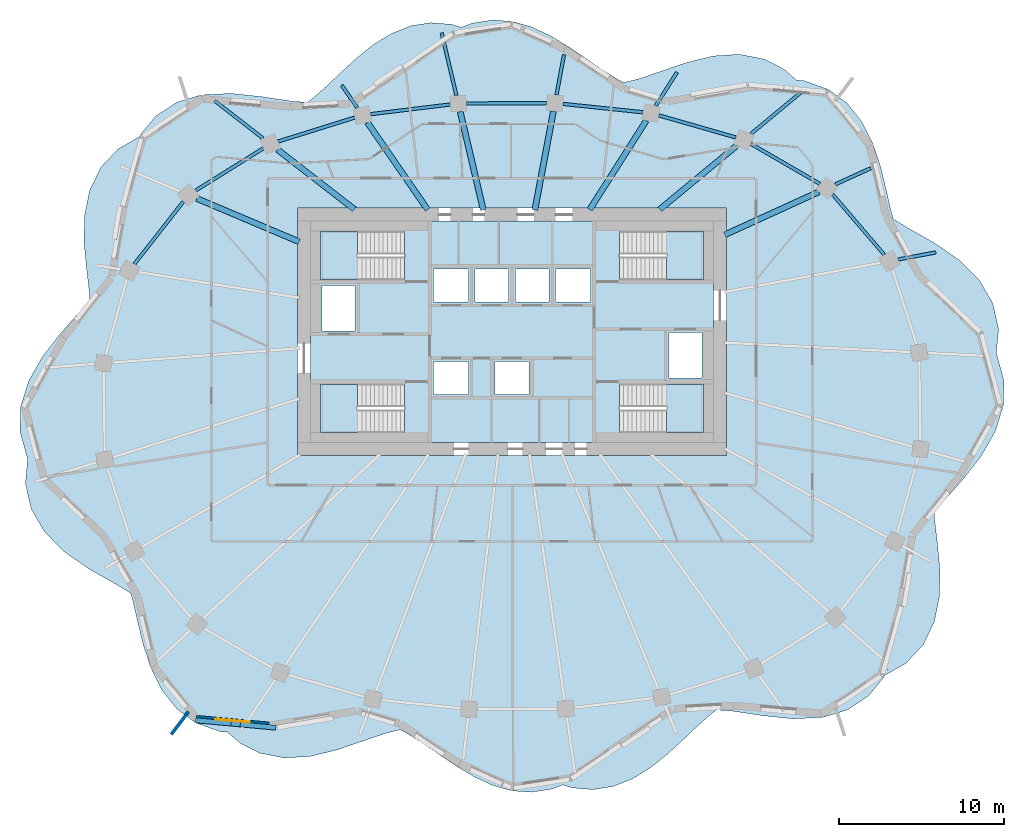
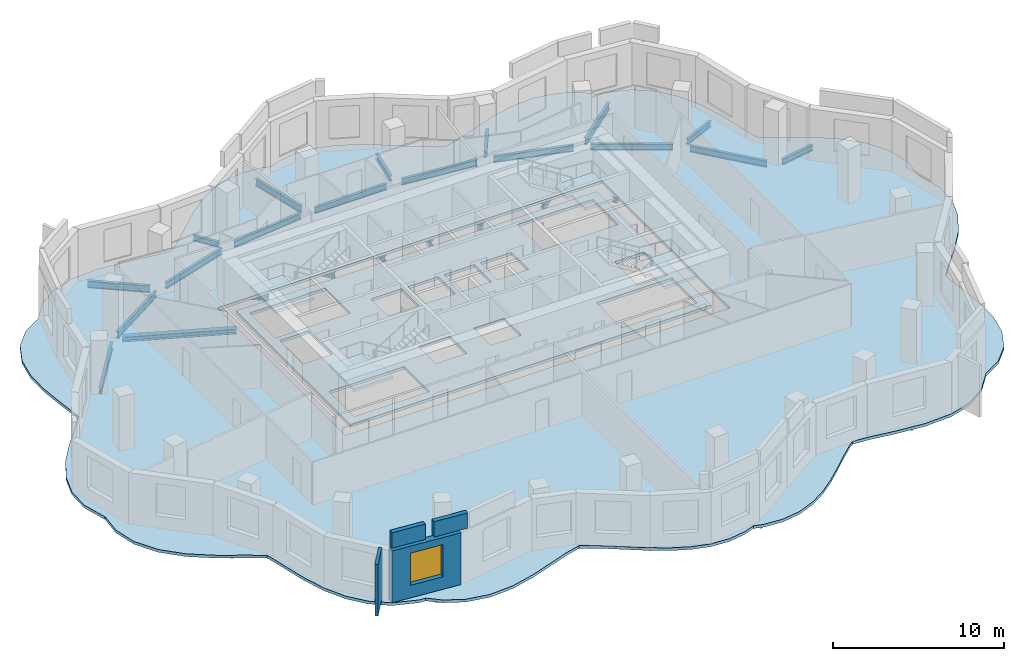
# One storey, part 2 of 9: 25 beams, 6 slabs, 4 walls, 1 window, 1 opening, 4 elements without a shape of their own.
"""IFC4 building model written with IfcOpenShell, lengths in metres."""

import ifcopenshell
import ifcopenshell.guid

model = None  # the IFC model being written
_history = None  # IfcOwnerHistory: only IFC2X3 demands one
_inside = {}  # id of a spatial element -> (the spatial element, [elements in it])
_under = {}  # id of a project, library or spatial element -> (it, [spatial elements below it])
_declared = {}  # id of a project -> (the project, [libraries it declares])
_typed = {}  # id of a type object -> (the type object, [elements of that type])
_made_of = {}  # id of a material, layer set ... -> (it, [elements and type objects made of it])


def new_model(schema):
    """Start an empty IFC model of exactly this schema.

    Asked for "IFC4X3", IfcOpenShell would pick the latest addendum, in which some entities
    have other attributes; the version numbers below select the first issue.
    IFC2X3 requires an IfcOwnerHistory on every rooted entity: one is made here for all.
    """
    global model, _history
    if schema == "IFC4X3":
        model = ifcopenshell.file(schema_version=(4, 3, 0, 0))
    else:
        model = ifcopenshell.file(schema=schema)
    _inside.clear()
    _under.clear()
    _declared.clear()
    _typed.clear()
    _made_of.clear()
    _history = None
    if model.schema == "IFC2X3":
        org = make("IfcOrganization", Name="unknown")
        user = make(
            "IfcPersonAndOrganization",
            ThePerson=make("IfcPerson", FamilyName="unknown"),
            TheOrganization=org,
        )
        app = make(
            "IfcApplication",
            ApplicationDeveloper=org,
            Version="unknown",
            ApplicationFullName="unknown",
            ApplicationIdentifier="unknown",
        )
        _history = make(
            "IfcOwnerHistory",
            OwningUser=user,
            OwningApplication=app,
            ChangeAction="ADDED",
            CreationDate=0,
        )
    return model


def make(cls, **values):
    """One entity of the class cls with the attributes given. An attribute that is None is left unset."""
    return model.create_entity(
        cls, **{name: value for name, value in values.items() if value is not None}
    )


def rooted(cls, **values):
    """An entity with a GlobalId (a new one), such as an element, a storey or a relation."""
    return make(cls, GlobalId=ifcopenshell.guid.new(), OwnerHistory=_history, **values)


def si_unit(unit_type, name, prefix=None):
    """IfcSIUnit, for example si_unit("LENGTHUNIT", "METRE", prefix="MILLI")."""
    return make("IfcSIUnit", UnitType=unit_type, Prefix=prefix, Name=name)


def assignment(units):
    """IfcUnitAssignment: the units of a project."""
    return None if units is None else make("IfcUnitAssignment", Units=units)


def point(xyz):
    """IfcCartesianPoint."""
    return None if xyz is None else make("IfcCartesianPoint", Coordinates=xyz)


def direction(xyz):
    """IfcDirection."""
    return None if xyz is None else make("IfcDirection", DirectionRatios=xyz)


def frame(location, z_axis=None, x_axis=None):
    """IfcAxis2Placement3D, a coordinate frame: its origin and axes. An axis left out is left unset."""
    return make(
        "IfcAxis2Placement3D",
        Location=point(location),
        Axis=direction(z_axis),
        RefDirection=direction(x_axis),
    )


def frame_2d(location, x_axis=None):
    """IfcAxis2Placement2D, a coordinate frame in the plane: its origin and x axis."""
    return make(
        "IfcAxis2Placement2D", Location=point(location), RefDirection=direction(x_axis)
    )


def origin():
    """The frame at (0, 0, 0) with its axes left unset."""
    return frame((0.0, 0.0, 0.0))


def origin_2d():
    """The frame at (0, 0) in the plane with its x axis left unset."""
    return frame_2d((0.0, 0.0))


def place(relative_to, where):
    """IfcLocalPlacement: puts the frame where relative to a parent placement (None: the world)."""
    return make(
        "IfcLocalPlacement", PlacementRelTo=relative_to, RelativePlacement=where
    )


def context(
    kind, dimensions, precision=None, world=None, true_north=None, identifier=None
):
    """IfcGeometricRepresentationContext, for example the 3D "Model" context."""
    return make(
        "IfcGeometricRepresentationContext",
        ContextIdentifier=identifier,
        ContextType=kind,
        CoordinateSpaceDimension=dimensions,
        Precision=precision,
        WorldCoordinateSystem=world,
        TrueNorth=true_north,
    )


def subcontext(parent, identifier, kind, view, scale=None):
    """IfcGeometricRepresentationSubContext, for example "Body" below "Model"."""
    return make(
        "IfcGeometricRepresentationSubContext",
        ContextIdentifier=identifier,
        ContextType=kind,
        ParentContext=parent,
        TargetScale=scale,
        TargetView=view,
    )


def project(units=None, contexts=None):
    """IfcProject with its units and contexts."""
    return rooted(
        "IfcProject",
        Name="project",
        RepresentationContexts=contexts,
        UnitsInContext=assignment(units),
    )


def spatial(cls, under=None, at=None, **own):
    """A site, building, storey or space (cls), placed at a placement, below another one or the project."""
    s = rooted(cls, ObjectPlacement=at, **own)
    if under is not None:
        _under.setdefault(under.id(), (under, []))[1].append(s)
    return s


def polyline(points):
    """IfcPolyline through the points."""
    return make("IfcPolyline", Points=[point(p) for p in points])


def profile(cls, at=None, kind="AREA", **sizes):
    """A parametric profile (cls). Its sizes go by their IFC names, for example OverallWidth=200.0."""
    return make(cls, ProfileType=kind, Position=at, **sizes)


def rectangle(**sizes):
    """IfcRectangleProfileDef."""
    return profile("IfcRectangleProfileDef", **sizes)


def i_section(**sizes):
    """IfcIShapeProfileDef."""
    return profile("IfcIShapeProfileDef", **sizes)


def outline(outer, holes=None, kind="AREA"):
    """IfcArbitraryClosedProfileDef: a profile drawn as a closed curve; with holes, ...WithVoids."""
    if holes is None:
        return make("IfcArbitraryClosedProfileDef", ProfileType=kind, OuterCurve=outer)
    return make(
        "IfcArbitraryProfileDefWithVoids",
        ProfileType=kind,
        OuterCurve=outer,
        InnerCurves=holes,
    )


def extrude(swept, where, along, depth):
    """IfcExtrudedAreaSolid: the profile swept, set in the frame where, extruded along a direction by depth."""
    return make(
        "IfcExtrudedAreaSolid",
        SweptArea=swept,
        Position=where,
        ExtrudedDirection=direction(along),
        Depth=depth,
    )


def shape(context_of_items, identifier, shape_type, items):
    """IfcShapeRepresentation: the items that make up one representation, for example the "Body"."""
    return make(
        "IfcShapeRepresentation",
        ContextOfItems=context_of_items,
        RepresentationIdentifier=identifier,
        RepresentationType=shape_type,
        Items=items,
    )


def material(Name=None, Category=None):
    """IfcMaterial."""
    return make("IfcMaterial", Name=Name, Category=Category)


def layer(
    of_material, thickness, ventilated=None, Name=None, Category=None, Priority=None
):
    """IfcMaterialLayer: one layer of a wall or slab, of a material (None: an air gap)."""
    return make(
        "IfcMaterialLayer",
        Material=of_material,
        LayerThickness=thickness,
        IsVentilated=ventilated,
        Name=Name,
        Category=Category,
        Priority=Priority,
    )


def layer_set(layers, Name=None):
    """IfcMaterialLayerSet."""
    return make("IfcMaterialLayerSet", MaterialLayers=layers, LayerSetName=Name)


def material_profile(
    of_material, cross_section, Name=None, Category=None, Priority=None
):
    """IfcMaterialProfile: a cross section and its material."""
    return make(
        "IfcMaterialProfile",
        Name=Name,
        Material=of_material,
        Profile=cross_section,
        Priority=Priority,
        Category=Category,
    )


def profile_set(profiles, Name=None, composite=None):
    """IfcMaterialProfileSet."""
    return make(
        "IfcMaterialProfileSet",
        Name=Name,
        MaterialProfiles=profiles,
        CompositeProfile=composite,
    )


def made_of(thing, what):
    """Note that an element or type object is made of a material, layer set ...; save() writes the relation."""
    if what is not None:
        _made_of.setdefault(what.id(), (what, []))[1].append(thing)
    return thing


def type_object(cls, material=None, **own):
    """A type object (cls), such as IfcWallType, which elements share."""
    return made_of(rooted(cls, **own), material)


def element(
    cls,
    number,
    at=None,
    inside=None,
    cuts=None,
    type_object=None,
    material=None,
    context=None,
    identifier="Body",
    shape_type=None,
    held_by="IfcProductDefinitionShape",
    body=None,
    shapes=None,
    **own,
):
    """One element of the class cls, such as IfcWall. Its Tag is "e" and its number.

    at: its placement. inside: the storey or other place that contains it. cuts: it is an
    opening in that element (IfcRelVoidsElement). A single representation is given by context,
    identifier, shape_type and body (its items); several are given by shapes. held_by: the class
    of the entity that holds the representations. save() writes the other relations.
    """
    e = rooted(cls, Tag="e%d" % number, ObjectPlacement=at, **own)
    if body is not None:
        shapes = [shape(context, identifier, shape_type, body)]
    if shapes is not None:
        e.Representation = make(held_by, Representations=shapes)
    if inside is not None:
        _inside.setdefault(inside.id(), (inside, []))[1].append(e)
    if cuts is not None:
        rooted(
            "IfcRelVoidsElement", RelatingBuildingElement=cuts, RelatedOpeningElement=e
        )
    if type_object is not None:
        _typed.setdefault(type_object.id(), (type_object, []))[1].append(e)
    return made_of(e, material)


def fill(opening, filler):
    """IfcRelFillsElement: the door or window that sits in an opening."""
    return rooted(
        "IfcRelFillsElement",
        RelatingOpeningElement=opening,
        RelatedBuildingElement=filler,
    )


def aggregate(whole, parts):
    """IfcRelAggregates: a whole, such as a stair, and the parts it consists of."""
    return rooted("IfcRelAggregates", RelatingObject=whole, RelatedObjects=parts)


def save(model, path):
    """Write the relations noted so far, then the file.

    IfcRelAggregates (storeys below a building ...), IfcRelContainedInSpatialStructure (elements
    in a storey), IfcRelDefinesByType, IfcRelAssociatesMaterial and IfcRelDeclares: one each for
    every whole, place, type object, material and project.
    """
    for whole, parts in _under.values():
        aggregate(whole, parts)
    for where, things in _inside.values():
        rooted(
            "IfcRelContainedInSpatialStructure",
            RelatedElements=things,
            RelatingStructure=where,
        )
    for kind, things in _typed.values():
        rooted("IfcRelDefinesByType", RelatedObjects=things, RelatingType=kind)
    for what, things in _made_of.values():
        rooted("IfcRelAssociatesMaterial", RelatedObjects=things, RelatingMaterial=what)
    for by, libraries in _declared.values():
        rooted("IfcRelDeclares", RelatingContext=by, RelatedDefinitions=libraries)
    model.write(path)


model = new_model("IFC4")

# Units and contexts
model_context = context("Model", 3, precision=1e-05, world=origin(), true_north=direction((0.0, 1.0)))
body_context = subcontext(model_context, "Body", "Model", "MODEL_VIEW")
ifc_project = project(units=[si_unit("LENGTHUNIT", "METRE"), si_unit("AREAUNIT", "SQUARE_METRE"), si_unit("VOLUMEUNIT", "CUBIC_METRE"), si_unit("PLANEANGLEUNIT", "RADIAN"), si_unit("MASSUNIT", "GRAM", prefix="KILO")], contexts=[model_context])

# Site, building, storey
site_placement = place(None, origin())
site = spatial("IfcSite", under=ifc_project, at=site_placement, CompositionType="ELEMENT")
building_placement = place(site_placement, origin())
building = spatial("IfcBuilding", under=site, at=building_placement, Name="Rubra Terraces Tower", CompositionType="ELEMENT")
storey_placement = place(building_placement, frame((0.0, 0.0, 229.199951171875)))
storey = spatial("IfcBuildingStorey", under=building, at=storey_placement, Name="L56", CompositionType="ELEMENT", Elevation=229.199951171875)

# Beams
ifc_material_1 = material(Name="Steel Q355B", Category="steel")
ifc_material_profile_1 = material_profile(ifc_material_1, i_section(OverallWidth=0.199951171875, OverallDepth=0.39990234375, WebThickness=0.008056640625, FlangeThickness=0.012939453125, at=origin_2d()), Name="HN 400x200x8x13")
ifc_profile_set_1 = profile_set([ifc_material_profile_1], Name="Steel Q355B")
beam_type_1 = type_object("IfcBeamType", Name="CANTILEVER BEAM HN 400x200x8x13", PredefinedType="BEAM", material=ifc_profile_set_1)
beam_1_placement = place(storey_placement, frame((23.39794921875, 8.884033203125, -0.39990234375), z_axis=(0.982868607844, 0.184307622507, 0.0), x_axis=(-0.184307622507, 0.982868607844, 0.0)))
element("IfcBeam", 1, at=beam_1_placement, inside=storey, type_object=beam_type_1, Name="beam-L56-cant-02", PredefinedType="BEAM", context=body_context, shape_type="SweptSolid", body=[
    extrude(i_section(OverallWidth=0.199951171875, OverallDepth=0.39990234375, WebThickness=0.008056640625, FlangeThickness=0.012939453125, at=origin_2d()), origin(), (0.0, 0.0, 1.0), 2.31689453125),
])
beam_2_placement = place(storey_placement, frame((19.596923828125, 13.43896484375, -0.39990234375), z_axis=(0.909791454917, 0.415065667769, 0.0), x_axis=(-0.415065667769, 0.909791454917, 0.0)))
element("IfcBeam", 2, at=beam_2_placement, inside=storey, type_object=beam_type_1, Name="beam-L56-cant-03", PredefinedType="BEAM", context=body_context, shape_type="SweptSolid", body=[
    extrude(i_section(OverallWidth=0.199951171875, OverallDepth=0.39990234375, WebThickness=0.008056640625, FlangeThickness=0.012939453125, at=origin_2d()), origin(), (0.0, 0.0, 1.0), 2.344482421875),
])
beam_3_placement = place(storey_placement, frame((8.7099609375, 18.201904296875, -0.39990234375), z_axis=(0.536577917642, 0.84385077964, 0.0), x_axis=(-0.84385077964, 0.536577917642, 0.0)))
element("IfcBeam", 3, at=beam_3_placement, inside=storey, type_object=beam_type_1, Name="beam-L56-cant-05", PredefinedType="BEAM", context=body_context, shape_type="SweptSolid", body=[
    extrude(i_section(OverallWidth=0.199951171875, OverallDepth=0.39990234375, WebThickness=0.008056640625, FlangeThickness=0.012939453125, at=origin_2d()), origin(), (0.0, 0.0, 1.0), 2.38916015625),
])
beam_4_placement = place(storey_placement, frame((2.695068359375, 18.85400390625, -0.39990234375), z_axis=(0.18429449499, 0.982871069427, 0.0), x_axis=(-0.982871069427, 0.18429449499, 0.0)))
element("IfcBeam", 4, at=beam_4_placement, inside=storey, type_object=beam_type_1, Name="beam-L56-cant-06", PredefinedType="BEAM", context=body_context, shape_type="SweptSolid", body=[
    extrude(i_section(OverallWidth=0.199951171875, OverallDepth=0.39990234375, WebThickness=0.008056640625, FlangeThickness=0.012939453125, at=origin_2d()), origin(), (0.0, 0.0, 1.0), 2.473388671875),
])
beam_5_placement = place(storey_placement, frame((-9.3701171875, 18.070068359375, -0.39990234375), z_axis=(-0.568287582361, 0.822830009014, 0.0), x_axis=(-0.822830009014, -0.568287582361, 0.0)))
element("IfcBeam", 5, at=beam_5_placement, inside=storey, type_object=beam_type_1, Name="beam-L56-cant-08", PredefinedType="BEAM", context=body_context, shape_type="SweptSolid", body=[
    extrude(i_section(OverallWidth=0.199951171875, OverallDepth=0.39990234375, WebThickness=0.008056640625, FlangeThickness=0.012939453125, at=origin_2d()), origin(), (0.0, 0.0, 1.0), 1.666015625),
])
ifc_material_profile_2 = material_profile(ifc_material_1, i_section(OverallWidth=0.198974609375, OverallDepth=0.49609375, WebThickness=0.009033203125, FlangeThickness=0.013916015625, at=origin_2d()), Name="HN 496x199x9x14")
ifc_profile_set_2 = profile_set([ifc_material_profile_2], Name="Steel Q355B")
beam_type_2 = type_object("IfcBeamType", Name="CANTILEVER BEAM HN 496x199x9x14", PredefinedType="BEAM", material=ifc_profile_set_2)
beam_6_placement = place(storey_placement, frame((14.47509765625, 16.4951171875, -0.447998046875), z_axis=(0.770112647774, 0.637907916347, 0.0), x_axis=(-0.637907916347, 0.770112647774, 0.0)))
element("IfcBeam", 6, at=beam_6_placement, inside=storey, type_object=beam_type_2, Name="beam-L56-cant-04", PredefinedType="BEAM", context=body_context, shape_type="SweptSolid", body=[
    extrude(i_section(OverallWidth=0.198974609375, OverallDepth=0.49609375, WebThickness=0.009033203125, FlangeThickness=0.013916015625, at=origin_2d()), origin(), (0.0, 0.0, 1.0), 3.949951171875),
])
beam_7_placement = place(storey_placement, frame((-3.3701171875, 18.823974609375, -0.447998046875), z_axis=(-0.228972734486, 0.973432836338, 0.0), x_axis=(-0.973432836338, -0.228972734486, 0.0)))
element("IfcBeam", 7, at=beam_7_placement, inside=storey, type_object=beam_type_2, Name="beam-L56-cant-07", PredefinedType="BEAM", context=body_context, shape_type="SweptSolid", body=[
    extrude(i_section(OverallWidth=0.198974609375, OverallDepth=0.49609375, WebThickness=0.009033203125, FlangeThickness=0.013916015625, at=origin_2d()), origin(), (0.0, 0.0, 1.0), 3.882080078125),
])
beam_8_placement = place(storey_placement, frame((-15.087890625, 16.22705078125, -0.447998046875), z_axis=(-0.789596931968, 0.613625851009, 0.0), x_axis=(-0.613625851009, -0.789596931968, 0.0)))
element("IfcBeam", 8, at=beam_8_placement, inside=storey, type_object=beam_type_2, Name="beam-L56-cant-09", PredefinedType="BEAM", context=body_context, shape_type="SweptSolid", body=[
    extrude(i_section(OverallWidth=0.198974609375, OverallDepth=0.49609375, WebThickness=0.009033203125, FlangeThickness=0.013916015625, at=origin_2d()), origin(), (0.0, 0.0, 1.0), 3.705810546875),
])
ifc_material_profile_3 = material_profile(ifc_material_1, i_section(OverallWidth=0.35009765625, OverallDepth=0.35009765625, WebThickness=0.011962890625, FlangeThickness=0.01904296875, at=origin_2d()), Name="HW 350x350x12x19")
ifc_profile_set_3 = profile_set([ifc_material_profile_3], Name="Steel Q355B")
beam_type_3 = type_object("IfcBeamType", Name="FLOOR BEAM HW 350x350x12x19", PredefinedType="BEAM", material=ifc_profile_set_3)
beam_9_placement = place(storey_placement, frame((18.5869140625, 12.97900390625, -0.375), z_axis=(-0.909756526533, -0.415142219523, 0.0), x_axis=(0.415142219523, -0.909756526533, 0.0)))
element("IfcBeam", 9, at=beam_9_placement, inside=storey, type_object=beam_type_3, Name="beam-L56-floor-03", PredefinedType="BEAM", context=body_context, shape_type="SweptSolid", body=[
    extrude(i_section(OverallWidth=0.35009765625, OverallDepth=0.35009765625, WebThickness=0.011962890625, FlangeThickness=0.01904296875, at=origin_2d()), origin(), (0.0, 0.0, 1.0), 6.2607421875),
])
beam_10_placement = place(storey_placement, frame((13.60888671875, 15.777099609375, -0.375), z_axis=(-0.769987518392, -0.638058948312, 0.0), x_axis=(0.638058948312, -0.769987518392, 0.0)))
element("IfcBeam", 10, at=beam_10_placement, inside=storey, type_object=beam_type_3, Name="beam-L56-floor-04", PredefinedType="BEAM", context=body_context, shape_type="SweptSolid", body=[
    extrude(i_section(OverallWidth=0.35009765625, OverallDepth=0.35009765625, WebThickness=0.011962890625, FlangeThickness=0.01904296875, at=origin_2d()), origin(), (0.0, 0.0, 1.0), 6.040283203125),
])
beam_11_placement = place(storey_placement, frame((8.134033203125, 17.2958984375, -0.375), z_axis=(-0.536509861106, -0.843894050776, 0.0), x_axis=(0.843894050776, -0.536509861106, 0.0)))
element("IfcBeam", 11, at=beam_11_placement, inside=storey, type_object=beam_type_3, Name="beam-L56-floor-05", PredefinedType="BEAM", context=body_context, shape_type="SweptSolid", body=[
    extrude(i_section(OverallWidth=0.35009765625, OverallDepth=0.35009765625, WebThickness=0.011962890625, FlangeThickness=0.01904296875, at=origin_2d()), origin(), (0.0, 0.0, 1.0), 6.395263671875),
])
beam_12_placement = place(storey_placement, frame((2.509033203125, 17.862060546875, -0.375), z_axis=(-0.184574398021, -0.982818544593, 0.0), x_axis=(0.982818544593, -0.184574398021, 0.0)))
element("IfcBeam", 12, at=beam_12_placement, inside=storey, type_object=beam_type_3, Name="beam-L56-floor-06", PredefinedType="BEAM", context=body_context, shape_type="SweptSolid", body=[
    extrude(i_section(OverallWidth=0.35009765625, OverallDepth=0.35009765625, WebThickness=0.011962890625, FlangeThickness=0.01904296875, at=origin_2d()), origin(), (0.0, 0.0, 1.0), 6.08447265625),
])
beam_13_placement = place(storey_placement, frame((-3.137939453125, 17.8359375, -0.375), z_axis=(0.229070485592, -0.973409837957, 0.0), x_axis=(0.973409837957, 0.229070485592, 0.0)))
element("IfcBeam", 13, at=beam_13_placement, inside=storey, type_object=beam_type_3, Name="beam-L56-floor-07", PredefinedType="BEAM", context=body_context, shape_type="SweptSolid", body=[
    extrude(i_section(OverallWidth=0.35009765625, OverallDepth=0.35009765625, WebThickness=0.011962890625, FlangeThickness=0.01904296875, at=origin_2d()), origin(), (0.0, 0.0, 1.0), 6.115478515625),
])
beam_14_placement = place(storey_placement, frame((-8.756103515625, 17.179931640625, -0.375), z_axis=(0.568186422001, -0.822899866238, 0.0), x_axis=(0.822899866238, 0.568186422001, 0.0)))
element("IfcBeam", 14, at=beam_14_placement, inside=storey, type_object=beam_type_3, Name="beam-L56-floor-08", PredefinedType="BEAM", context=body_context, shape_type="SweptSolid", body=[
    extrude(i_section(OverallWidth=0.35009765625, OverallDepth=0.35009765625, WebThickness=0.011962890625, FlangeThickness=0.01904296875, at=origin_2d()), origin(), (0.0, 0.0, 1.0), 6.415283203125),
])
beam_15_placement = place(storey_placement, frame((-14.197998046875, 15.534912109375, -0.375), z_axis=(0.789548898228, -0.613687654517, 0.0), x_axis=(0.613687654517, 0.789548898228, 0.0)))
element("IfcBeam", 15, at=beam_15_placement, inside=storey, type_object=beam_type_3, Name="beam-L56-floor-09", PredefinedType="BEAM", context=body_context, shape_type="SweptSolid", body=[
    extrude(i_section(OverallWidth=0.35009765625, OverallDepth=0.35009765625, WebThickness=0.011962890625, FlangeThickness=0.01904296875, at=origin_2d()), origin(), (0.0, 0.0, 1.0), 5.880615234375),
])
beam_16_placement = place(storey_placement, frame((-19.083984375, 12.574951171875, -0.375), z_axis=(0.92097476483, -0.38962223056, 0.0), x_axis=(0.38962223056, 0.92097476483, 0.0)))
element("IfcBeam", 16, at=beam_16_placement, inside=storey, type_object=beam_type_3, Name="beam-L56-floor-10", PredefinedType="BEAM", context=body_context, shape_type="SweptSolid", body=[
    extrude(i_section(OverallWidth=0.35009765625, OverallDepth=0.35009765625, WebThickness=0.011962890625, FlangeThickness=0.01904296875, at=origin_2d()), origin(), (0.0, 0.0, 1.0), 6.7265625),
])
ifc_material_profile_4 = material_profile(ifc_material_1, i_section(OverallWidth=0.198974609375, OverallDepth=0.446044921875, WebThickness=0.008056640625, FlangeThickness=0.011962890625, at=origin_2d()), Name="HN 446x199x8x12")
ifc_profile_set_4 = profile_set([ifc_material_profile_4], Name="Steel Q355B")
beam_type_4 = type_object("IfcBeamType", Name="SPANDREL BEAM HN 446x199x8x12", PredefinedType="SPANDREL", material=ifc_profile_set_4)
beam_17_placement = place(storey_placement, frame((22.547119140625, 9.174072265625, -0.4228515625), z_axis=(-0.650372836218, 0.759615148552, 0.0), x_axis=(-0.759615148552, -0.650372836218, 0.0)))
element("IfcBeam", 17, at=beam_17_placement, inside=storey, type_object=beam_type_4, Name="beam-L56-spandrel-02", PredefinedType="SPANDREL", context=body_context, shape_type="SweptSolid", body=[
    extrude(i_section(OverallWidth=0.198974609375, OverallDepth=0.446044921875, WebThickness=0.008056640625, FlangeThickness=0.011962890625, at=origin_2d()), origin(), (0.0, 0.0, 1.0), 4.804931640625),
])
beam_18_placement = place(storey_placement, frame((18.653076171875, 13.462890625, -0.4228515625), z_axis=(-0.865153680787, 0.501506838059, 0.0), x_axis=(-0.501506838059, -0.865153680787, 0.0)))
element("IfcBeam", 18, at=beam_18_placement, inside=storey, type_object=beam_type_4, Name="beam-L56-spandrel-03", PredefinedType="SPANDREL", context=body_context, shape_type="SweptSolid", body=[
    extrude(i_section(OverallWidth=0.198974609375, OverallDepth=0.446044921875, WebThickness=0.008056640625, FlangeThickness=0.011962890625, at=origin_2d()), origin(), (0.0, 0.0, 1.0), 4.82568359375),
])
beam_19_placement = place(storey_placement, frame((13.55810546875, 16.27490234375, -0.4228515625), z_axis=(-0.961171164323, 0.275952881621, 0.0), x_axis=(-0.275952881621, -0.961171164323, 0.0)))
element("IfcBeam", 19, at=beam_19_placement, inside=storey, type_object=beam_type_4, Name="beam-L56-spandrel-04", PredefinedType="SPANDREL", context=body_context, shape_type="SweptSolid", body=[
    extrude(i_section(OverallWidth=0.198974609375, OverallDepth=0.446044921875, WebThickness=0.008056640625, FlangeThickness=0.011962890625, at=origin_2d()), origin(), (0.0, 0.0, 1.0), 4.842041015625),
])
beam_20_placement = place(storey_placement, frame((7.923095703125, 17.801025390625, -0.4228515625), z_axis=(-0.994565426955, 0.104113454971, 0.0), x_axis=(-0.104113454971, -0.994565426955, 0.0)))
element("IfcBeam", 20, at=beam_20_placement, inside=storey, type_object=beam_type_4, Name="beam-L56-spandrel-05", PredefinedType="SPANDREL", context=body_context, shape_type="SweptSolid", body=[
    extrude(i_section(OverallWidth=0.198974609375, OverallDepth=0.446044921875, WebThickness=0.008056640625, FlangeThickness=0.011962890625, at=origin_2d()), origin(), (0.0, 0.0, 1.0), 4.849365234375),
])
beam_21_placement = place(storey_placement, frame((2.10107421875, 18.35595703125, -0.4228515625), z_axis=(-0.999987852299, -0.004929021704, 0.0), x_axis=(0.004929021704, -0.999987852299, 0.0)))
element("IfcBeam", 21, at=beam_21_placement, inside=storey, type_object=beam_type_4, Name="beam-L56-spandrel-06", PredefinedType="SPANDREL", context=body_context, shape_type="SweptSolid", body=[
    extrude(i_section(OverallWidth=0.198974609375, OverallDepth=0.446044921875, WebThickness=0.008056640625, FlangeThickness=0.011962890625, at=origin_2d()), origin(), (0.0, 0.0, 1.0), 4.85400390625),
])
beam_22_placement = place(storey_placement, frame((-3.7509765625, 18.27001953125, -0.4228515625), z_axis=(-0.992698018573, -0.120626049929, 0.0), x_axis=(0.120626049929, -0.992698018573, 0.0)))
element("IfcBeam", 22, at=beam_22_placement, inside=storey, type_object=beam_type_4, Name="beam-L56-spandrel-07", PredefinedType="SPANDREL", context=body_context, shape_type="SweptSolid", body=[
    extrude(i_section(OverallWidth=0.198974609375, OverallDepth=0.446044921875, WebThickness=0.008056640625, FlangeThickness=0.011962890625, at=origin_2d()), origin(), (0.0, 0.0, 1.0), 4.849365234375),
])
beam_23_placement = place(storey_placement, frame((-9.5419921875, 17.47509765625, -0.4228515625), z_axis=(-0.954462027342, -0.298332429282, 0.0), x_axis=(0.298332429282, -0.954462027342, 0.0)))
element("IfcBeam", 23, at=beam_23_placement, inside=storey, type_object=beam_type_4, Name="beam-L56-spandrel-08", PredefinedType="SPANDREL", context=body_context, shape_type="SweptSolid", body=[
    extrude(i_section(OverallWidth=0.198974609375, OverallDepth=0.446044921875, WebThickness=0.008056640625, FlangeThickness=0.011962890625, at=origin_2d()), origin(), (0.0, 0.0, 1.0), 4.840576171875),
])
beam_24_placement = place(storey_placement, frame((-15.071044921875, 15.614013671875, -0.4228515625), z_axis=(-0.848183088492, -0.529703170083, 0.0), x_axis=(0.529703170083, -0.848183088492, 0.0)))
element("IfcBeam", 24, at=beam_24_placement, inside=storey, type_object=beam_type_4, Name="beam-L56-spandrel-09", PredefinedType="SPANDREL", context=body_context, shape_type="SweptSolid", body=[
    extrude(i_section(OverallWidth=0.198974609375, OverallDepth=0.446044921875, WebThickness=0.008056640625, FlangeThickness=0.011962890625, at=origin_2d()), origin(), (0.0, 0.0, 1.0), 4.8232421875),
])
beam_25_placement = place(storey_placement, frame((-19.906005859375, 12.39111328125, -0.4228515625), z_axis=(-0.617060338015, -0.786915840004, 0.0), x_axis=(0.786915840004, -0.617060338015, 0.0)))
element("IfcBeam", 25, at=beam_25_placement, inside=storey, type_object=beam_type_4, Name="beam-L56-spandrel-10", PredefinedType="SPANDREL", context=body_context, shape_type="SweptSolid", body=[
    extrude(i_section(OverallWidth=0.198974609375, OverallDepth=0.446044921875, WebThickness=0.008056640625, FlangeThickness=0.011962890625, at=origin_2d()), origin(), (0.0, 0.0, 1.0), 4.8037109375),
])

# Slab
ifc_material_2 = material(Name="Concrete C40", Category="concrete")
ifc_layer_1 = layer(ifc_material_2, 0.199951171875)
ifc_layer_set_1 = layer_set([ifc_layer_1], Name="Concrete C40")
slab_type_1 = type_object("IfcSlabType", Name="Core floor slab 200 concrete", PredefinedType="FLOOR", material=ifc_layer_set_1)
slab_1_placement = place(storey_placement, frame((0.0, 0.0, -0.199951171875)))
element("IfcSlab", 26, at=slab_1_placement, inside=storey, type_object=slab_type_1, Name="CORE FLOOR SLAB L56", PredefinedType="FLOOR", context=body_context, shape_type="SweptSolid", body=[
    extrude(outline(polyline([(-12.199951171875, -2.199951171875), (-12.199951171875, 11.199951171875), (12.199951171875, 11.199951171875), (12.199951171875, -2.199951171875), (-12.199951171875, -2.199951171875)]), holes=[polyline([(11.597900390625, 1.347900390625), (6.501953125, 1.347900390625), (6.501953125, -1.597900390625), (11.597900390625, -1.597900390625), (11.597900390625, 1.347900390625)]), polyline([(11.597900390625, 7.652099609375), (11.597900390625, 10.597900390625), (6.501953125, 10.597900390625), (6.501953125, 7.652099609375), (11.597900390625, 7.652099609375)]), polyline([(9.5, 1.699951171875), (11.5, 1.699951171875), (11.5, 4.449951171875), (9.5, 4.449951171875), (9.5, 1.699951171875)]), polyline([(4.75, 6.300048828125), (4.75, 8.300048828125), (2.64990234375, 8.300048828125), (2.64990234375, 6.300048828125), (4.75, 6.300048828125)]), polyline([(2.25, 8.300048828125), (0.199951171875, 8.300048828125), (0.199951171875, 6.300048828125), (2.25, 6.300048828125), (2.25, 8.300048828125)]), polyline([(1.02490234375, 0.699951171875), (1.02490234375, 2.699951171875), (-1.02490234375, 2.699951171875), (-1.02490234375, 0.699951171875), (1.02490234375, 0.699951171875)]), polyline([(-0.199951171875, 6.300048828125), (-0.199951171875, 8.300048828125), (-2.25, 8.300048828125), (-2.25, 6.300048828125), (-0.199951171875, 6.300048828125)]), polyline([(-4.75, 8.300048828125), (-4.75, 6.300048828125), (-2.64990234375, 6.300048828125), (-2.64990234375, 8.300048828125), (-4.75, 8.300048828125)]), polyline([(-2.64990234375, 0.699951171875), (-2.64990234375, 2.699951171875), (-4.75, 2.699951171875), (-4.75, 0.699951171875), (-2.64990234375, 0.699951171875)]), polyline([(-11.597900390625, -1.597900390625), (-6.501953125, -1.597900390625), (-6.501953125, 1.347900390625), (-11.597900390625, 1.347900390625), (-11.597900390625, -1.597900390625)]), polyline([(-11.597900390625, 10.597900390625), (-11.597900390625, 7.652099609375), (-6.501953125, 7.652099609375), (-6.501953125, 10.597900390625), (-11.597900390625, 10.597900390625)]), polyline([(-9.5, 4.550048828125), (-9.5, 7.300048828125), (-11.5, 7.300048828125), (-11.5, 4.550048828125), (-9.5, 4.550048828125)])]), origin(), (0.0, 0.0, 1.0), 0.199951171875),
])

# Stair, slab
stair_type = type_object("IfcStairType", Name="Core stair 1400", PredefinedType="HALF_TURN_STAIR", material=ifc_material_2)
stair_1_placement = place(storey_placement, origin())
stair_1 = element("IfcStair", 27, at=stair_1_placement, inside=storey, type_object=stair_type, Name="L56 Exit stair S1", PredefinedType="HALF_TURN_STAIR")
ifc_layer_2 = layer(ifc_material_2, 0.199951171875)
ifc_layer_set_2 = layer_set([ifc_layer_2], Name="Concrete C40")
slab_type_2 = type_object("IfcSlabType", Name="Core stair landing 200", PredefinedType="LANDING", material=ifc_layer_set_2)
slab_2_placement = place(storey_placement, frame((0.0, 0.0, 1.75)))
slab_2 = element("IfcSlab", 28, at=slab_2_placement, type_object=slab_type_2, Name="S1 landing 1", PredefinedType="LANDING", context=body_context, shape_type="SweptSolid", body=[
    extrude(outline(polyline([(-8.97998046875, -0.199951171875), (-8.97998046875, -1.60009765625), (-9.360107421875, -1.60009765625), (-9.3798828125, -1.60009765625), (-11.60009765625, -1.60009765625), (-11.60009765625, 1.35009765625), (-9.3798828125, 1.35009765625), (-9.35791015625, 1.35009765625), (-9.35791015625, -0.050048828125), (-9.360107421875, -0.050048828125), (-9.360107421875, -0.199951171875), (-8.97998046875, -0.199951171875)])), origin(), (0.0, 0.0, 1.0), 0.199951171875),
])
aggregate(stair_1, [slab_2])

stair_2_placement = place(storey_placement, origin())
stair_2 = element("IfcStair", 29, at=stair_2_placement, inside=storey, type_object=stair_type, Name="L56 Exit stair S2", PredefinedType="HALF_TURN_STAIR")
slab_3_placement = place(storey_placement, frame((0.0, 0.0, 1.75)))
slab_3 = element("IfcSlab", 30, at=slab_3_placement, type_object=slab_type_2, Name="S2 landing 1", PredefinedType="LANDING", context=body_context, shape_type="SweptSolid", body=[
    extrude(outline(polyline([(-8.97998046875, 9.050048828125), (-8.97998046875, 7.64990234375), (-9.3798828125, 7.64990234375), (-11.60009765625, 7.64990234375), (-11.60009765625, 10.60009765625), (-9.3798828125, 10.60009765625), (-9.360107421875, 10.60009765625), (-9.35791015625, 10.60009765625), (-9.35791015625, 9.199951171875), (-9.360107421875, 9.199951171875), (-9.360107421875, 9.050048828125), (-8.97998046875, 9.050048828125)])), origin(), (0.0, 0.0, 1.0), 0.199951171875),
])
aggregate(stair_2, [slab_3])

stair_3_placement = place(storey_placement, origin())
stair_3 = element("IfcStair", 31, at=stair_3_placement, inside=storey, type_object=stair_type, Name="L56 Exit stair S3", PredefinedType="HALF_TURN_STAIR")
slab_4_placement = place(storey_placement, frame((0.0, 0.0, 1.75)))
slab_4 = element("IfcSlab", 32, at=slab_4_placement, type_object=slab_type_2, Name="S3 landing 1", PredefinedType="LANDING", context=body_context, shape_type="SweptSolid", body=[
    extrude(outline(polyline([(9.360107421875, 9.050048828125), (9.360107421875, 9.199951171875), (8.97998046875, 9.199951171875), (8.97998046875, 10.60009765625), (9.360107421875, 10.60009765625), (9.3798828125, 10.60009765625), (11.60009765625, 10.60009765625), (11.60009765625, 7.64990234375), (9.3798828125, 7.64990234375), (9.35791015625, 7.64990234375), (9.35791015625, 9.050048828125), (9.360107421875, 9.050048828125)])), origin(), (0.0, 0.0, 1.0), 0.199951171875),
])
aggregate(stair_3, [slab_4])

stair_4_placement = place(storey_placement, origin())
stair_4 = element("IfcStair", 33, at=stair_4_placement, inside=storey, type_object=stair_type, Name="L56 Exit stair S4", PredefinedType="HALF_TURN_STAIR")
slab_5_placement = place(storey_placement, frame((0.0, 0.0, 1.75)))
slab_5 = element("IfcSlab", 34, at=slab_5_placement, type_object=slab_type_2, Name="S4 landing 1", PredefinedType="LANDING", context=body_context, shape_type="SweptSolid", body=[
    extrude(outline(polyline([(9.360107421875, -0.199951171875), (9.360107421875, -0.050048828125), (8.97998046875, -0.050048828125), (8.97998046875, 1.35009765625), (9.360107421875, 1.35009765625), (9.3798828125, 1.35009765625), (11.60009765625, 1.35009765625), (11.60009765625, -1.60009765625), (9.3798828125, -1.60009765625), (9.360107421875, -1.60009765625), (9.35791015625, -1.60009765625), (9.35791015625, -0.199951171875), (9.360107421875, -0.199951171875)])), origin(), (0.0, 0.0, 1.0), 0.199951171875),
])
aggregate(stair_4, [slab_5])

# Slab
ifc_layer_3 = layer(ifc_material_2, 0.199951171875)
ifc_layer_set_3 = layer_set([ifc_layer_3], Name="Concrete C40")
slab_type_3 = type_object("IfcSlabType", Name="FLOOR SLAB 200 COMPOSITE", PredefinedType="FLOOR", material=ifc_layer_set_3)
slab_6_placement = place(storey_placement, frame((0.0, 0.0, -0.199951171875)))
element("IfcSlab", 35, at=slab_6_placement, inside=storey, type_object=slab_type_3, Name="FLOOR SLAB L56", PredefinedType="FLOOR", context=body_context, shape_type="SweptSolid", body=[
    extrude(outline(polyline([(24.069091796875, 10.74609375), (23.112060546875, 11.324951171875), (22.988037109375, 11.712890625), (22.68408203125, 13.0390625), (22.342041015625, 14.4599609375), (21.8701171875, 15.889892578125), (21.199951171875, 17.222900390625), (20.301025390625, 18.346923828125), (19.179931640625, 19.179931640625), (17.657958984375, 19.72412109375), (17.235107421875, 19.7529296875), (16.466064453125, 20.4189453125), (15.27392578125, 21.02294921875), (13.781005859375, 21.31494140625), (12.205078125, 21.215087890625), (10.611083984375, 20.825927734375), (9.1240234375, 20.320068359375), (7.697021484375, 19.83203125), (6.784912109375, 19.60791015625), (6.427978515625, 19.782958984375), (5.45703125, 20.389892578125), (4.465087890625, 21.071044921875), (3.447021484375, 21.762939453125), (2.31591796875, 22.444091796875), (1.162109375, 22.97900390625), (0.0, 23.306884765625), (-1.201904296875, 23.389892578125), (-2.408935546875, 23.197998046875), (-3.06591796875, 22.949951171875), (-3.6630859375, 23.126953125), (-4.908935546875, 23.22900390625), (-6.138916015625, 23.037109375), (-7.330078125, 22.56103515625), (-8.3798828125, 21.910888671875), (-9.376953125, 21.118896484375), (-10.321044921875, 20.2548828125), (-11.237060546875, 19.384033203125), (-12.132080078125, 18.593017578125), (-12.39501953125, 18.402099609375), (-13.431884765625, 18.487060546875), (-15.18798828125, 18.7509765625), (-17.028076171875, 18.945068359375), (-18.85009765625, 18.85009765625), (-20.320068359375, 18.403076171875), (-21.5791015625, 17.572998046875), (-22.55908203125, 16.389892578125), (-23.196044921875, 15.06103515625), (-22.60107421875, 16.302978515625), (-23.864990234375, 15.5810546875), (-24.9140625, 14.4560546875), (-25.593994140625, 13.041015625), (-25.89892578125, 11.50390625), (-25.923095703125, 9.916015625), (-25.779052734375, 8.3759765625), (-25.596923828125, 6.819091796875), (-25.587890625, 6.4599609375), (-26.281982421875, 5.613037109375), (-27.404052734375, 4.340087890625), (-28.449951171875, 2.988037109375), (-29.281982421875, 1.51904296875), (-29.757080078125, 0.0), (-29.802978515625, -1.535888671875), (-29.383056640625, -3.072021484375), (-29.3359375, -3.153076171875), (-29.47607421875, -4.6689453125), (-29.134033203125, -6.214111328125), (-28.319091796875, -7.618896484375), (-27.135009765625, -8.81689453125), (-25.60693359375, -9.8779296875), (-24.069091796875, -10.74609375), (-23.112060546875, -11.324951171875), (-22.988037109375, -11.712890625), (-22.68408203125, -13.0390625), (-22.342041015625, -14.4599609375), (-21.8701171875, -15.889892578125), (-21.199951171875, -17.222900390625), (-20.301025390625, -18.346923828125), (-19.179931640625, -19.179931640625), (-17.657958984375, -19.72412109375), (-17.235107421875, -19.7529296875), (-16.466064453125, -20.4189453125), (-15.27392578125, -21.02294921875), (-13.781005859375, -21.31494140625), (-12.205078125, -21.215087890625), (-10.611083984375, -20.825927734375), (-9.1240234375, -20.320068359375), (-7.697021484375, -19.83203125), (-6.784912109375, -19.60791015625), (-6.427978515625, -19.782958984375), (-5.45703125, -20.389892578125), (-4.465087890625, -21.071044921875), (-3.447021484375, -21.762939453125), (-2.31591796875, -22.444091796875), (-1.162109375, -22.97900390625), (0.0, -23.306884765625), (1.201904296875, -23.389892578125), (2.408935546875, -23.197998046875), (3.06591796875, -22.949951171875), (3.6630859375, -23.126953125), (4.908935546875, -23.22900390625), (6.138916015625, -23.037109375), (7.330078125, -22.56103515625), (8.3798828125, -21.910888671875), (9.376953125, -21.118896484375), (10.321044921875, -20.2548828125), (11.237060546875, -19.384033203125), (12.132080078125, -18.593017578125), (12.39501953125, -18.402099609375), (13.431884765625, -18.487060546875), (15.18798828125, -18.7509765625), (17.028076171875, -18.945068359375), (18.85009765625, -18.85009765625), (20.320068359375, -18.403076171875), (21.5791015625, -17.572998046875), (22.55908203125, -16.389892578125), (23.196044921875, -15.06103515625), (22.60107421875, -16.302978515625), (23.864990234375, -15.5810546875), (24.9140625, -14.4560546875), (25.593994140625, -13.041015625), (25.89892578125, -11.50390625), (25.923095703125, -9.916015625), (25.779052734375, -8.3759765625), (25.596923828125, -6.819091796875), (25.587890625, -6.4599609375), (26.281982421875, -5.613037109375), (27.404052734375, -4.340087890625), (28.449951171875, -2.988037109375), (29.281982421875, -1.51904296875), (29.757080078125, 0.0), (29.802978515625, 1.535888671875), (29.383056640625, 3.072021484375), (29.3359375, 3.153076171875), (29.47607421875, 4.6689453125), (29.134033203125, 6.214111328125), (28.319091796875, 7.618896484375), (27.135009765625, 8.81689453125), (25.60693359375, 9.8779296875), (24.069091796875, 10.74609375)]), holes=[polyline([(13.0, 12.0), (13.0, -3.0), (-13.0, -3.0), (-13.0, 12.0), (13.0, 12.0)])]), origin(), (0.0, 0.0, 1.0), 0.199951171875),
])

# Wall, opening, window
ifc_material_3 = material(Name="Brick masonry red-brown", Category="masonry")
ifc_layer_4 = layer(ifc_material_3, 0.449951171875)
ifc_layer_set_4 = layer_set([ifc_layer_4], Name="Brick masonry red-brown")
wall_type_1 = type_object("IfcWallType", Name="Brick facade wall 450", PredefinedType="SOLIDWALL", material=ifc_layer_set_4)
wall_1_placement = place(storey_placement, frame((-19.1591796875, -18.955810546875, 0.0), z_axis=(0.0, 0.0, 1.0), x_axis=(0.995777399421, -0.091800712424, 0.0)))
wall_1 = element("IfcWall", 36, at=wall_1_placement, inside=storey, type_object=wall_type_1, Name="Facade wall L56 bay 26", PredefinedType="SOLIDWALL", context=body_context, shape_type="SweptSolid", body=[
    extrude(rectangle(XDim=4.45458984375, YDim=0.449951171875, at=frame_2d((2.227294921875, 0.0))), origin(), (0.0, 0.0, 1.0), 3.699951171875),
])
opening_placement = place(wall_1_placement, frame((1.177490234375, 0.0, 0.89990234375)))
opening = element("IfcOpeningElement", 37, at=opening_placement, cuts=wall_1, Name="Opening W1B", PredefinedType="OPENING", context=body_context, shape_type="SweptSolid", body=[
    extrude(rectangle(XDim=2.10009765625, YDim=2.300048828125, at=frame_2d((1.050048828125, 1.14990234375))), frame((0.0, 0.23486328125, 0.0), z_axis=(0.0, -1.0, 0.0), x_axis=(1.0, 0.0, 0.0)), (0.0, 0.0, 1.0), 0.469970703125),
])
ifc_material_4 = material(Name="Clear glass in aluminium frame", Category="aluminium")
window_type = type_object("IfcWindowType", Name="Fixed deep-set window tall storey 2100 x 2300", PartitioningType="SINGLE_PANEL", PredefinedType="WINDOW", material=ifc_material_4)
window_placement = place(opening_placement, origin())
window = element("IfcWindow", 38, at=window_placement, inside=storey, type_object=window_type, Name="Window L56 bay 26", OverallHeight=2.300048828125, OverallWidth=2.10009765625, PartitioningType="SINGLE_PANEL", PredefinedType="WINDOW", context=body_context, shape_type="SweptSolid", body=[
    extrude(rectangle(XDim=2.10009765625, YDim=2.300048828125, at=frame_2d((1.050048828125, 1.14990234375))), frame((0.0, 0.135009765625, 0.0), z_axis=(0.0, -1.0, 0.0), x_axis=(1.0, 0.0, 0.0)), (0.0, 0.0, 1.0), 0.06005859375),
])
fill(opening, window)

# Walls
ifc_layer_5 = layer(ifc_material_3, 0.300048828125)
ifc_layer_set_5 = layer_set([ifc_layer_5], Name="Brick masonry red-brown")
wall_type_2 = type_object("IfcWallType", Name="Brick parapet 300", PredefinedType="PARAPET", material=ifc_layer_set_5)
wall_2_placement = place(storey_placement, frame((-19.166259765625, -19.030517578125, 3.900146484375), z_axis=(0.0, 0.0, 1.0), x_axis=(0.995774996426, -0.091826774379, 0.0)))
element("IfcWall", 39, at=wall_2_placement, inside=storey, type_object=wall_type_2, Name="Parapet L56 bay 26", PredefinedType="PARAPET", context=body_context, shape_type="SweptSolid", body=[
    extrude(rectangle(XDim=2.148193359375, YDim=0.300048828125, at=frame_2d((1.07421875, 0.0))), origin(), (0.0, 0.0, 1.0), 1.099853515625),
])
wall_3_placement = place(storey_placement, frame((-16.461669921875, -19.27978515625, 3.900146484375), z_axis=(0.0, 0.0, 1.0), x_axis=(0.995778015376, -0.091794030816, 0.0)))
element("IfcWall", 40, at=wall_3_placement, inside=storey, type_object=wall_type_2, Name="Parapet L56 bay 26.2", PredefinedType="PARAPET", context=body_context, shape_type="SweptSolid", body=[
    extrude(rectangle(XDim=2.151611328125, YDim=0.300048828125, at=frame_2d((1.07568359375, 0.0))), origin(), (0.0, 0.0, 1.0), 1.099853515625),
])
ifc_layer_6 = layer(ifc_material_3, 0.199951171875)
ifc_layer_set_6 = layer_set([ifc_layer_6], Name="Brick masonry red-brown")
wall_type_3 = type_object("IfcWallType", Name="Brick wind fin 200", PredefinedType="SOLIDWALL", material=ifc_layer_set_6)
wall_4_placement = place(storey_placement, frame((-19.591064453125, -18.498046875, 0.0), z_axis=(0.0, 0.0, 1.0), x_axis=(-0.603387525063, -0.797448114048, 0.0)))
element("IfcWall", 41, at=wall_4_placement, inside=storey, type_object=wall_type_3, Name="Wind fin L56 15", PredefinedType="SOLIDWALL", context=body_context, shape_type="SweptSolid", body=[
    extrude(rectangle(XDim=1.75, YDim=0.199951171875, at=frame_2d((0.875, 0.0))), origin(), (0.0, 0.0, 1.0), 3.699951171875),
])

save(model, "model.ifc")
